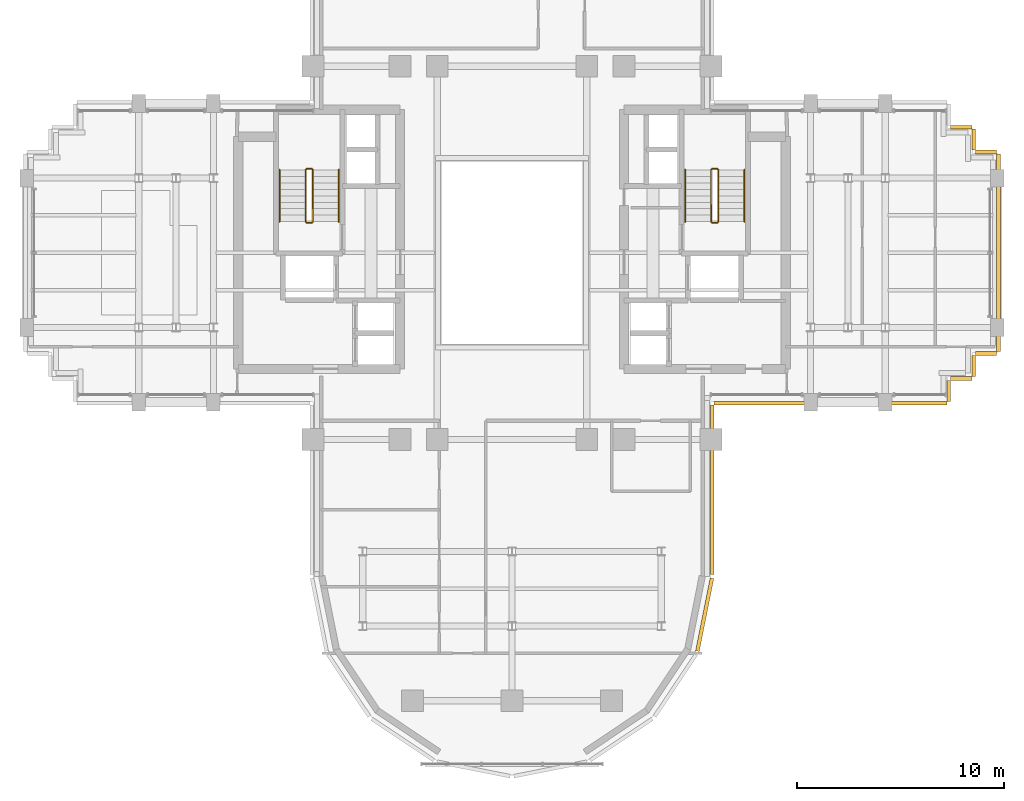
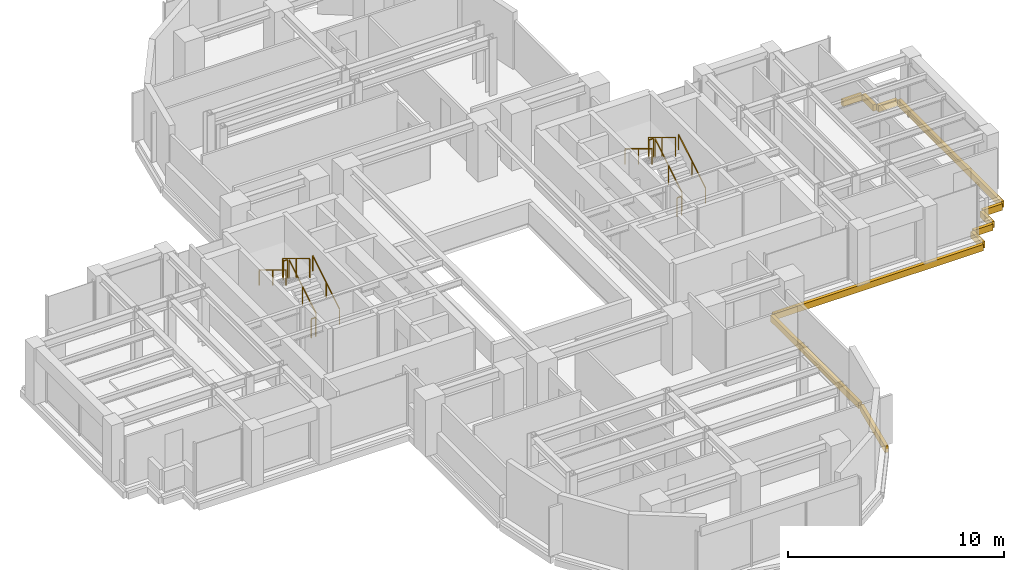
# One storey, part 12 of 13: 12 railings, 11 coverings.
"""IFC4 building model written with IfcOpenShell, lengths in metres."""

from ifc_helpers import new_model, si_unit, direction, frame, origin, origin_2d, place, context, subcontext, project, spatial, rectangle, extrude, source, transform, mapped, material, layer, layer_set, type_object, element, save


model = new_model("IFC4")

# Units and contexts
model_context = context("Model", 3, precision=1e-05, world=origin(), true_north=direction((0.0, 1.0)))
body_context = subcontext(model_context, "Body", "Model", "MODEL_VIEW")
ifc_project = project(units=[si_unit("LENGTHUNIT", "METRE"), si_unit("AREAUNIT", "SQUARE_METRE"), si_unit("VOLUMEUNIT", "CUBIC_METRE"), si_unit("PLANEANGLEUNIT", "RADIAN"), si_unit("MASSUNIT", "GRAM", prefix="KILO")], contexts=[model_context])

# Site, building, storey
site_placement = place(None, origin())
site = spatial("IfcSite", under=ifc_project, at=site_placement, CompositionType="ELEMENT")
building_placement = place(site_placement, origin())
building = spatial("IfcBuilding", under=site, at=building_placement, Name="Keilestroom Media Tower", CompositionType="ELEMENT")
storey_placement = place(building_placement, frame((0.0, 0.0, 131.199951171875)))
storey = spatial("IfcBuildingStorey", under=building, at=storey_placement, Name="L35", CompositionType="ELEMENT", Elevation=131.199951171875)

# Railings
ifc_material_1 = material(Name="Brushed Stainless Steel 1.4301", Category="steel")
railing_type_1 = type_object("IfcRailingType", Name="Stair-Pitch-Handrail-920", PredefinedType="HANDRAIL", material=ifc_material_1)
railing_1_placement = place(storey_placement, frame((-8.35009765625, 1.5, 0.18896484375)))
element("IfcRailing", 1, at=railing_1_placement, inside=storey, type_object=railing_type_1, Name="L35 ST-1 stair handrail 1", PredefinedType="HANDRAIL", context=body_context, shape_type="SweptSolid", body=[
    extrude(rectangle(XDim=0.048095703125, YDim=0.048095703125, at=origin_2d()), frame((0.0, 0.0, 0.8759765625), z_axis=(0.0, 0.855470815493, 0.517851024754), x_axis=(-1.0, 0.0, 0.0)), (0.0, 0.0, 1.0), 2.917724609375),
    extrude(rectangle(XDim=0.0419921875, YDim=0.0419921875, at=origin_2d()), origin(), (0.0, 0.0, 1.0), 0.84375),
    extrude(rectangle(XDim=0.0419921875, YDim=0.0419921875, at=origin_2d()), frame((0.0, 1.248046875, 0.75537109375)), (0.0, 0.0, 1.0), 0.84375),
    extrude(rectangle(XDim=0.0419921875, YDim=0.0419921875, at=origin_2d()), frame((0.0, 2.49609375, 1.510986328125)), (0.0, 0.0, 1.0), 0.84375),
])
railing_2_placement = place(storey_placement, frame((-11.2099609375, 3.99609375, 1.888916015625)))
element("IfcRailing", 2, at=railing_2_placement, inside=storey, type_object=railing_type_1, Name="L35 ST-1 stair handrail 2", PredefinedType="HANDRAIL", context=body_context, shape_type="SweptSolid", body=[
    extrude(rectangle(XDim=0.048095703125, YDim=0.048095703125, at=origin_2d()), frame((0.0, 0.0, 0.8759765625), z_axis=(0.0, -0.855433747314, 0.517912255074), x_axis=(1.0, 0.0, 0.0)), (0.0, 0.0, 1.0), 2.91796875),
    extrude(rectangle(XDim=0.0419921875, YDim=0.0419921875, at=origin_2d()), origin(), (0.0, 0.0, 1.0), 0.84375),
    extrude(rectangle(XDim=0.0419921875, YDim=0.0419921875, at=origin_2d()), frame((0.0, -1.248046875, 0.755615234375)), (0.0, 0.0, 1.0), 0.84375),
    extrude(rectangle(XDim=0.0419921875, YDim=0.0419921875, at=origin_2d()), frame((0.0, -2.49609375, 1.51123046875)), (0.0, 0.0, 1.0), 0.84375),
])
railing_3_placement = place(storey_placement, frame((11.2099609375, 1.5, 0.18896484375)))
element("IfcRailing", 3, at=railing_3_placement, inside=storey, type_object=railing_type_1, Name="L35 ST-2 stair handrail 1", PredefinedType="HANDRAIL", context=body_context, shape_type="SweptSolid", body=[
    extrude(rectangle(XDim=0.048095703125, YDim=0.048095703125, at=origin_2d()), frame((0.0, 0.0, 0.8759765625), z_axis=(0.0, 0.855470815493, 0.517851024754), x_axis=(-1.0, 0.0, 0.0)), (0.0, 0.0, 1.0), 2.917724609375),
    extrude(rectangle(XDim=0.0419921875, YDim=0.0419921875, at=origin_2d()), origin(), (0.0, 0.0, 1.0), 0.84375),
    extrude(rectangle(XDim=0.0419921875, YDim=0.0419921875, at=origin_2d()), frame((0.0, 1.248046875, 0.75537109375)), (0.0, 0.0, 1.0), 0.84375),
    extrude(rectangle(XDim=0.0419921875, YDim=0.0419921875, at=origin_2d()), frame((0.0, 2.49609375, 1.510986328125)), (0.0, 0.0, 1.0), 0.84375),
])
railing_4_placement = place(storey_placement, frame((8.35009765625, 3.99609375, 1.888916015625)))
element("IfcRailing", 4, at=railing_4_placement, inside=storey, type_object=railing_type_1, Name="L35 ST-2 stair handrail 2", PredefinedType="HANDRAIL", context=body_context, shape_type="SweptSolid", body=[
    extrude(rectangle(XDim=0.048095703125, YDim=0.048095703125, at=origin_2d()), frame((0.0, 0.0, 0.8759765625), z_axis=(0.0, -0.855433747314, 0.517912255074), x_axis=(1.0, 0.0, 0.0)), (0.0, 0.0, 1.0), 2.91796875),
    extrude(rectangle(XDim=0.0419921875, YDim=0.0419921875, at=origin_2d()), origin(), (0.0, 0.0, 1.0), 0.84375),
    extrude(rectangle(XDim=0.0419921875, YDim=0.0419921875, at=origin_2d()), frame((0.0, -1.248046875, 0.755615234375)), (0.0, 0.0, 1.0), 0.84375),
    extrude(rectangle(XDim=0.0419921875, YDim=0.0419921875, at=origin_2d()), frame((0.0, -2.49609375, 1.51123046875)), (0.0, 0.0, 1.0), 0.84375),
])
ifc_material_2 = material(Name="Painted Steel Balustrade", Category="steel")
railing_type_2 = type_object("IfcRailingType", Name="Stair-Well-And-Landing-Guard-1100", PredefinedType="GUARDRAIL", material=ifc_material_2)
railing_5_placement = place(storey_placement, frame((-9.610107421875, 1.5, 0.18896484375)))
element("IfcRailing", 5, at=railing_5_placement, inside=storey, type_object=railing_type_2, Name="L35 ST-1 stair guard 1", PredefinedType="GUARDRAIL", context=body_context, shape_type="SweptSolid", body=[
    extrude(rectangle(XDim=0.048095703125, YDim=0.048095703125, at=origin_2d()), frame((0.0, 0.0, 1.076171875), z_axis=(0.0, 0.855470815493, 0.517851024754), x_axis=(-1.0, 0.0, 0.0)), (0.0, 0.0, 1.0), 2.917724609375),
    extrude(rectangle(XDim=0.0419921875, YDim=0.0419921875, at=origin_2d()), origin(), (0.0, 0.0, 1.0), 1.0439453125),
    extrude(rectangle(XDim=0.0419921875, YDim=0.0419921875, at=origin_2d()), frame((0.0, 1.248046875, 0.75537109375)), (0.0, 0.0, 1.0), 1.0439453125),
    extrude(rectangle(XDim=0.0419921875, YDim=0.0419921875, at=origin_2d()), frame((0.0, 2.49609375, 1.510986328125)), (0.0, 0.0, 1.0), 1.0439453125),
])
railing_6_placement = place(storey_placement, frame((-9.659912109375, 4.0458984375, 1.699951171875)))
element("IfcRailing", 6, at=railing_6_placement, inside=storey, type_object=railing_type_2, Name="L35 ST-1 stair guard 2", PredefinedType="GUARDRAIL", context=body_context, shape_type="SweptSolid", body=[
    extrude(rectangle(XDim=0.048095703125, YDim=0.048095703125, at=origin_2d()), frame((0.0, 0.0, 1.076171875), z_axis=(-1.0, 0.0, 0.0), x_axis=(0.0, -1.0, 0.0)), (0.0, 0.0, 1.0), 0.239990234375),
    extrude(rectangle(XDim=0.0419921875, YDim=0.0419921875, at=origin_2d()), origin(), (0.0, 0.0, 1.0), 1.0439453125),
    extrude(rectangle(XDim=0.0419921875, YDim=0.0419921875, at=origin_2d()), frame((-0.239990234375, 0.0, 0.0)), (0.0, 0.0, 1.0), 1.0439453125),
])
railing_7_placement = place(storey_placement, frame((-9.949951171875, 3.99609375, 1.888916015625)))
element("IfcRailing", 7, at=railing_7_placement, inside=storey, type_object=railing_type_2, Name="L35 ST-1 stair guard 3", PredefinedType="GUARDRAIL", context=body_context, shape_type="SweptSolid", body=[
    extrude(rectangle(XDim=0.048095703125, YDim=0.048095703125, at=origin_2d()), frame((0.0, 0.0, 1.076171875), z_axis=(0.0, -0.855433747314, 0.517912255074), x_axis=(1.0, 0.0, 0.0)), (0.0, 0.0, 1.0), 2.91796875),
    extrude(rectangle(XDim=0.0419921875, YDim=0.0419921875, at=origin_2d()), origin(), (0.0, 0.0, 1.0), 1.0439453125),
    extrude(rectangle(XDim=0.0419921875, YDim=0.0419921875, at=origin_2d()), frame((0.0, -1.248046875, 0.755615234375)), (0.0, 0.0, 1.0), 1.0439453125),
    extrude(rectangle(XDim=0.0419921875, YDim=0.0419921875, at=origin_2d()), frame((0.0, -2.49609375, 1.51123046875)), (0.0, 0.0, 1.0), 1.0439453125),
])
railing_8_placement = place(storey_placement, frame((-9.659912109375, 1.449951171875, 0.0)))
element("IfcRailing", 8, at=railing_8_placement, inside=storey, type_object=railing_type_2, Name="L35 ST-1 stair guard 4", PredefinedType="GUARDRAIL", context=body_context, shape_type="SweptSolid", body=[
    extrude(rectangle(XDim=0.048095703125, YDim=0.048095703125, at=origin_2d()), frame((0.0, 0.0, 1.076171875), z_axis=(-1.0, 0.0, 0.0), x_axis=(0.0, -1.0, 0.0)), (0.0, 0.0, 1.0), 0.239990234375),
    extrude(rectangle(XDim=0.0419921875, YDim=0.0419921875, at=origin_2d()), origin(), (0.0, 0.0, 1.0), 1.0439453125),
    extrude(rectangle(XDim=0.0419921875, YDim=0.0419921875, at=origin_2d()), frame((-0.239990234375, 0.0, 0.0)), (0.0, 0.0, 1.0), 1.0439453125),
])
railing_9_placement = place(storey_placement, frame((9.949951171875, 1.5, 0.18896484375)))
element("IfcRailing", 9, at=railing_9_placement, inside=storey, type_object=railing_type_2, Name="L35 ST-2 stair guard 1", PredefinedType="GUARDRAIL", context=body_context, shape_type="SweptSolid", body=[
    extrude(rectangle(XDim=0.048095703125, YDim=0.048095703125, at=origin_2d()), frame((0.0, 0.0, 1.076171875), z_axis=(0.0, 0.855470815493, 0.517851024754), x_axis=(-1.0, 0.0, 0.0)), (0.0, 0.0, 1.0), 2.917724609375),
    extrude(rectangle(XDim=0.0419921875, YDim=0.0419921875, at=origin_2d()), origin(), (0.0, 0.0, 1.0), 1.0439453125),
    extrude(rectangle(XDim=0.0419921875, YDim=0.0419921875, at=origin_2d()), frame((0.0, 1.248046875, 0.75537109375)), (0.0, 0.0, 1.0), 1.0439453125),
    extrude(rectangle(XDim=0.0419921875, YDim=0.0419921875, at=origin_2d()), frame((0.0, 2.49609375, 1.510986328125)), (0.0, 0.0, 1.0), 1.0439453125),
])
railing_10_placement = place(storey_placement, frame((9.89990234375, 4.0458984375, 1.699951171875)))
element("IfcRailing", 10, at=railing_10_placement, inside=storey, type_object=railing_type_2, Name="L35 ST-2 stair guard 2", PredefinedType="GUARDRAIL", context=body_context, shape_type="SweptSolid", body=[
    extrude(rectangle(XDim=0.048095703125, YDim=0.048095703125, at=origin_2d()), frame((0.0, 0.0, 1.076171875), z_axis=(-1.0, 0.0, 0.0), x_axis=(0.0, -1.0, 0.0)), (0.0, 0.0, 1.0), 0.239990234375),
    extrude(rectangle(XDim=0.0419921875, YDim=0.0419921875, at=origin_2d()), origin(), (0.0, 0.0, 1.0), 1.0439453125),
    extrude(rectangle(XDim=0.0419921875, YDim=0.0419921875, at=origin_2d()), frame((-0.239990234375, 0.0, 0.0)), (0.0, 0.0, 1.0), 1.0439453125),
])
railing_11_placement = place(storey_placement, frame((9.610107421875, 3.99609375, 1.888916015625)))
element("IfcRailing", 11, at=railing_11_placement, inside=storey, type_object=railing_type_2, Name="L35 ST-2 stair guard 3", PredefinedType="GUARDRAIL", context=body_context, shape_type="SweptSolid", body=[
    extrude(rectangle(XDim=0.048095703125, YDim=0.048095703125, at=origin_2d()), frame((0.0, 0.0, 1.076171875), z_axis=(0.0, -0.855433747314, 0.517912255074), x_axis=(1.0, 0.0, 0.0)), (0.0, 0.0, 1.0), 2.91796875),
    extrude(rectangle(XDim=0.0419921875, YDim=0.0419921875, at=origin_2d()), origin(), (0.0, 0.0, 1.0), 1.0439453125),
    extrude(rectangle(XDim=0.0419921875, YDim=0.0419921875, at=origin_2d()), frame((0.0, -1.248046875, 0.755615234375)), (0.0, 0.0, 1.0), 1.0439453125),
    extrude(rectangle(XDim=0.0419921875, YDim=0.0419921875, at=origin_2d()), frame((0.0, -2.49609375, 1.51123046875)), (0.0, 0.0, 1.0), 1.0439453125),
])
railing_12_placement = place(storey_placement, frame((9.89990234375, 1.449951171875, 0.0)))
element("IfcRailing", 12, at=railing_12_placement, inside=storey, type_object=railing_type_2, Name="L35 ST-2 stair guard 4", PredefinedType="GUARDRAIL", context=body_context, shape_type="SweptSolid", body=[
    extrude(rectangle(XDim=0.048095703125, YDim=0.048095703125, at=origin_2d()), frame((0.0, 0.0, 1.076171875), z_axis=(-1.0, 0.0, 0.0), x_axis=(0.0, -1.0, 0.0)), (0.0, 0.0, 1.0), 0.239990234375),
    extrude(rectangle(XDim=0.0419921875, YDim=0.0419921875, at=origin_2d()), origin(), (0.0, 0.0, 1.0), 1.0439453125),
    extrude(rectangle(XDim=0.0419921875, YDim=0.0419921875, at=origin_2d()), frame((-0.239990234375, 0.0, 0.0)), (0.0, 0.0, 1.0), 1.0439453125),
])

# Coverings
ifc_material_3 = material(Name="Precast concrete C40/50", Category="concrete")
ifc_layer = layer(ifc_material_3, 0.1201171875)
ifc_layer_set = layer_set([ifc_layer], Name="Precast concrete C40/50")
covering_type = type_object("IfcCoveringType", Name="Exterior-Precast-Spandrel-Cladding-Panel-120", PredefinedType="CLADDING", material=ifc_layer_set)
shared_shape_1 = source(origin(), body_context, "Body", "SweptSolid", [
    extrude(rectangle(XDim=1.02001953125, YDim=0.179931640625, at=origin_2d()), origin(), (0.0, 0.0, 1.0), 0.360107421875),
])
for number, where, z_axis, x_axis, name in (
    (13, (22.860107421875, -4.860107421875, -0.5400390625), (0.0, 0.0, 1.0), (-1.0, 0.0, 0.0), "L35 Precast Slab-Edge Fascia Cornice 01"),
    (14, (22.260009765625, -5.4599609375, -0.5400390625), (0.0, 0.0, 1.0), (0.0, -1.0, 0.0), "L35 Precast Slab-Edge Fascia Cornice 02"),
    (15, (21.659912109375, -6.06005859375, -0.5400390625), (0.0, 0.0, 1.0), (-1.0, 0.0, 0.0), "L35 Precast Slab-Edge Fascia Cornice 03"),
    (16, (21.06005859375, -6.659912109375, -0.5400390625), (0.0, 0.0, 1.0), (0.0, -1.0, 0.0), "L35 Precast Slab-Edge Fascia Cornice 04"),
    (17, (21.659912109375, 6.06005859375, -0.5400390625), (0.0, 0.0, 1.0), (1.0, 0.0, 0.0), "L35 Precast Slab-Edge Fascia Cornice 39"),
    (18, (22.260009765625, 5.4599609375, -0.5400390625), (0.0, 0.0, 1.0), (0.0, -1.0, 0.0), "L35 Precast Slab-Edge Fascia Cornice 40"),
    (19, (22.860107421875, 4.860107421875, -0.5400390625), (0.0, 0.0, 1.0), (1.0, 0.0, 0.0), "L35 Precast Slab-Edge Fascia Cornice 41"),
):
    element("IfcCovering", number, at=place(storey_placement, frame(where, z_axis=z_axis, x_axis=x_axis)), inside=storey, type_object=covering_type, Name=name, PredefinedType="CLADDING", context=body_context, shape_type="MappedRepresentation", body=[
        mapped(shared_shape_1, transform((0.0, 0.0, 0.0), x_axis=(1.0, 0.0, 0.0), y_axis=(0.0, 1.0, 0.0), z_axis=(0.0, 0.0, 1.0), scale=1.0)),
    ])
shared_shape_2 = source(origin(), body_context, "Body", "SweptSolid", [
    extrude(rectangle(XDim=8.166015625, YDim=0.179931640625, at=origin_2d()), origin(), (0.0, 0.0, 1.0), 0.360107421875),
])
covering_1_placement = place(storey_placement, frame((9.659912109375, -11.43310546875, -0.5400390625), z_axis=(0.0, 0.0, 1.0), x_axis=(0.0, -1.0, 0.0)))
element("IfcCovering", 20, at=covering_1_placement, inside=storey, type_object=covering_type, Name="L35 Precast Slab-Edge Fascia Cornice 06", PredefinedType="CLADDING", context=body_context, shape_type="MappedRepresentation", body=[
    mapped(shared_shape_2, transform((0.0, 0.0, 0.0), x_axis=(1.0, 0.0, 0.0), y_axis=(0.0, 1.0, 0.0), z_axis=(0.0, 0.0, 1.0), scale=1.0)),
])
shared_shape_3 = source(origin(), body_context, "Body", "SweptSolid", [
    extrude(rectangle(XDim=3.58349609375, YDim=0.179931640625, at=origin_2d()), origin(), (0.0, 0.0, 1.0), 0.360107421875),
])
covering_2_placement = place(storey_placement, frame((9.29296875, -17.45166015625, -0.5400390625), z_axis=(0.0, 0.0, 1.0), x_axis=(-0.195098880975, -0.980783577882, 0.0)))
element("IfcCovering", 21, at=covering_2_placement, inside=storey, type_object=covering_type, Name="L35 Precast Slab-Edge Fascia Cornice 07", PredefinedType="CLADDING", context=body_context, shape_type="MappedRepresentation", body=[
    mapped(shared_shape_3, transform((0.0, 0.0, 0.0), x_axis=(1.0, 0.0, 0.0), y_axis=(0.0, 1.0, 0.0), z_axis=(0.0, 0.0, 1.0), scale=1.0)),
])
shared_shape_4 = source(origin(), body_context, "Body", "SweptSolid", [
    extrude(rectangle(XDim=9.5400390625, YDim=0.179931640625, at=origin_2d()), origin(), (0.0, 0.0, 1.0), 0.360107421875),
])
covering_3_placement = place(storey_placement, frame((23.4599609375, 0.0, -0.5400390625), z_axis=(0.0, 0.0, 1.0), x_axis=(0.0, -1.0, 0.0)))
element("IfcCovering", 22, at=covering_3_placement, inside=storey, type_object=covering_type, Name="L35 Precast Slab-Edge Fascia Cornice 42", PredefinedType="CLADDING", context=body_context, shape_type="MappedRepresentation", body=[
    mapped(shared_shape_4, transform((0.0, 0.0, 0.0), x_axis=(1.0, 0.0, 0.0), y_axis=(0.0, 1.0, 0.0), z_axis=(0.0, 0.0, 1.0), scale=1.0)),
])
shared_shape_5 = source(origin(), body_context, "Body", "SweptSolid", [
    extrude(rectangle(XDim=11.219970703125, YDim=0.179931640625, at=origin_2d()), origin(), (0.0, 0.0, 1.0), 0.360107421875),
])
covering_4_placement = place(storey_placement, frame((15.360107421875, -7.260009765625, -0.5400390625), z_axis=(0.0, 0.0, 1.0), x_axis=(-1.0, 0.0, 0.0)))
element("IfcCovering", 23, at=covering_4_placement, inside=storey, type_object=covering_type, Name="L35 Precast Slab-Edge Fascia Cornice 05", PredefinedType="CLADDING", context=body_context, shape_type="MappedRepresentation", body=[
    mapped(shared_shape_5, transform((0.0, 0.0, 0.0), x_axis=(1.0, 0.0, 0.0), y_axis=(0.0, 1.0, 0.0), z_axis=(0.0, 0.0, 1.0), scale=1.0)),
])

save(model, "model.ifc")
